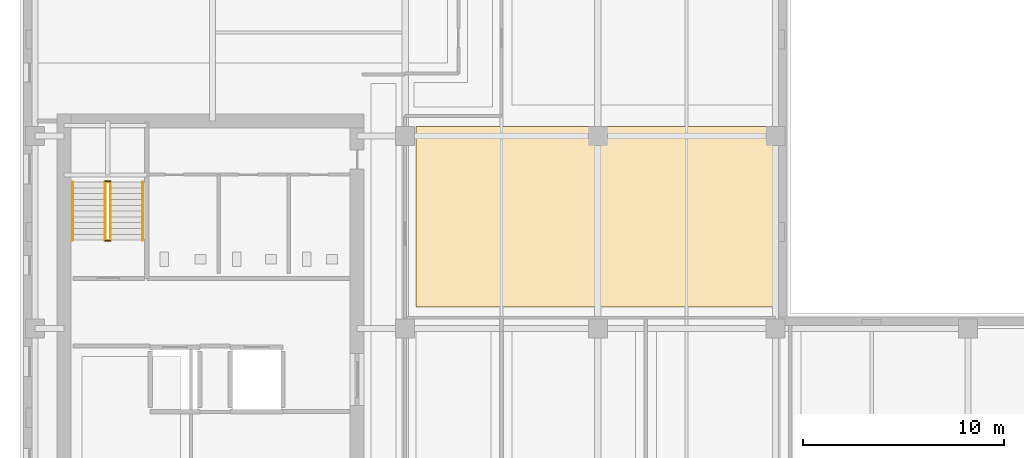
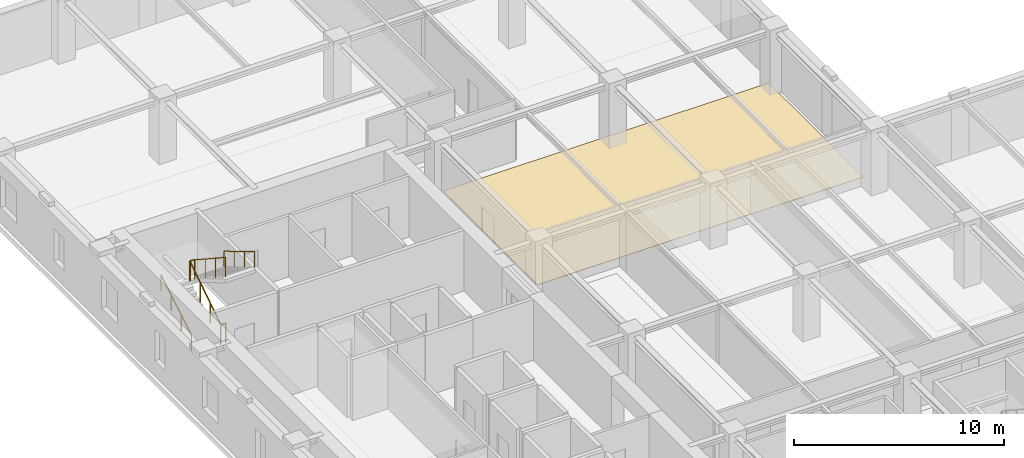
# One storey, part 11 of 13: 6 railings, 1 covering.
"""IFC4 building model written with IfcOpenShell, lengths in metres."""

from ifc_helpers import new_model, si_unit, direction, frame, origin, origin_2d, place, context, subcontext, project, spatial, polyline, circle, outline, extrude, material, layer, layer_set, type_object, element, save


model = new_model("IFC4")

# Units and contexts
model_context = context("Model", 3, precision=1e-05, world=origin(), true_north=direction((0.0, 1.0)))
body_context = subcontext(model_context, "Body", "Model", "MODEL_VIEW")
ifc_project = project(units=[si_unit("LENGTHUNIT", "METRE"), si_unit("AREAUNIT", "SQUARE_METRE"), si_unit("VOLUMEUNIT", "CUBIC_METRE"), si_unit("PLANEANGLEUNIT", "RADIAN"), si_unit("MASSUNIT", "GRAM", prefix="KILO")], contexts=[model_context])

# Site, building, storey
site_placement = place(None, origin())
site = spatial("IfcSite", under=ifc_project, at=site_placement, CompositionType="ELEMENT")
building_placement = place(site_placement, origin())
building = spatial("IfcBuilding", under=site, at=building_placement, Name="Norrvale University Quadrangle", CompositionType="ELEMENT")
storey_placement = place(building_placement, frame((0.0, 0.0, 175.0)))
storey = spatial("IfcBuildingStorey", under=building, at=storey_placement, Name="L44", CompositionType="ELEMENT", Elevation=175.0)

# Covering
ifc_material_1 = material(Name="Polished Terrazzo Flooring")
ifc_layer = layer(ifc_material_1, 0.02490234375, Name="Polished Terrazzo Flooring")
ifc_layer_set = layer_set([ifc_layer], Name="Polished Terrazzo Flooring")
covering_type = type_object("IfcCoveringType", Name="Covering Terrazzo Floor 30", PredefinedType="FLOORING", material=ifc_layer_set)
covering_placement = place(storey_placement, origin())
element("IfcCovering", 1, at=covering_placement, inside=storey, type_object=covering_type, Name="Terrazzo Flooring RM-L44-MNE01", PredefinedType="FLOORING", context=body_context, shape_type="SweptSolid", body=[
    extrude(outline(polyline([(19.72998046875, 47.719970703125), (37.64990234375, 47.719970703125), (37.64990234375, 38.7099609375), (19.72998046875, 38.7099609375), (19.72998046875, 47.719970703125)])), origin(), (0.0, 0.0, 1.0), 0.02490234375),
])

# Railings
ifc_material_2 = material(Name="Steel 350W Painted Balustrade", Category="steel")
railing_type_1 = type_object("IfcRailingType", Name="Railing Stair Guard 1100", PredefinedType="GUARDRAIL", material=ifc_material_2)
for number, where, name in (
    (2, (4.239990234375, 42.02001953125, 0.0), "Stair Floor Well Guard ST-02 L44"),
    (3, (4.239990234375, 44.97998046875, 1.89990234375), "Stair Mid-Landing Slot Guard ST-02 L44"),
):
    element("IfcRailing", number, at=place(storey_placement, frame(where)), inside=storey, type_object=railing_type_1, Name=name, PredefinedType="GUARDRAIL", context=body_context, shape_type="SweptSolid", body=[
        extrude(circle(Radius=0.02392578125, at=origin_2d()), frame((0.0, 0.0, 1.1259765625), z_axis=(1.0, 0.0, 0.0), x_axis=(0.0, 1.0, 0.0)), (0.0, 0.0, 1.0), 0.27001953125),
        extrude(circle(Radius=0.02099609375, at=origin_2d()), origin(), (0.0, 0.0, 1.0), 1.101806640625),
        extrude(circle(Radius=0.02099609375, at=origin_2d()), frame((0.27001953125, 0.0, 0.0)), (0.0, 0.0, 1.0), 1.101806640625),
    ])
railing_1_placement = place(storey_placement, frame((4.239990234375, 42.050048828125, 0.0)))
element("IfcRailing", 4, at=railing_1_placement, inside=storey, type_object=railing_type_1, Name="Stair Lower Flight Inner Guard ST-02 L44", PredefinedType="GUARDRAIL", context=body_context, shape_type="SweptSolid", body=[
    extrude(circle(Radius=0.02392578125, at=origin_2d()), frame((0.0, 0.0, 1.1259765625), z_axis=(0.0, 0.836465582154, 0.548019461216), x_axis=(-1.0, 0.0, 0.0)), (0.0, 0.0, 1.0), 3.466796875),
    extrude(circle(Radius=0.02099609375, at=origin_2d()), origin(), (0.0, 0.0, 1.0), 1.101806640625),
    extrude(circle(Radius=0.02099609375, at=origin_2d()), frame((0.0, 0.966552734375, 0.63330078125)), (0.0, 0.0, 1.0), 1.101806640625),
    extrude(circle(Radius=0.02099609375, at=origin_2d()), frame((0.0, 1.933349609375, 1.2666015625)), (0.0, 0.0, 1.0), 1.101806640625),
    extrude(circle(Radius=0.02099609375, at=origin_2d()), frame((0.0, 2.89990234375, 1.89990234375)), (0.0, 0.0, 1.0), 1.101806640625),
])
railing_2_placement = place(storey_placement, frame((4.510009765625, 44.949951171875, 1.89990234375)))
element("IfcRailing", 5, at=railing_2_placement, inside=storey, type_object=railing_type_1, Name="Stair Upper Flight Inner Guard ST-02 L44", PredefinedType="GUARDRAIL", context=body_context, shape_type="SweptSolid", body=[
    extrude(circle(Radius=0.02392578125, at=origin_2d()), frame((0.0, 0.0, 1.1259765625), z_axis=(0.0, -0.836433300813, 0.548068730445), x_axis=(1.0, 0.0, 0.0)), (0.0, 0.0, 1.0), 3.467041015625),
    extrude(circle(Radius=0.02099609375, at=origin_2d()), origin(), (0.0, 0.0, 1.0), 1.101806640625),
    extrude(circle(Radius=0.02099609375, at=origin_2d()), frame((0.0, -0.966552734375, 0.63330078125)), (0.0, 0.0, 1.0), 1.101806640625),
    extrude(circle(Radius=0.02099609375, at=origin_2d()), frame((0.0, -1.933349609375, 1.266845703125)), (0.0, 0.0, 1.0), 1.101806640625),
    extrude(circle(Radius=0.02099609375, at=origin_2d()), frame((0.0, -2.89990234375, 1.900146484375)), (0.0, 0.0, 1.0), 1.101806640625),
])
ifc_material_3 = material(Name="Stainless Steel 316L Handrail", Category="steel")
railing_type_2 = type_object("IfcRailingType", Name="Railing Stair Handrail 920", PredefinedType="HANDRAIL", material=ifc_material_3)
railing_3_placement = place(storey_placement, frame((2.639892578125, 42.050048828125, 0.172607421875)))
element("IfcRailing", 6, at=railing_3_placement, inside=storey, type_object=railing_type_2, Name="Stair Lower Flight Handrail ST-02 L44", PredefinedType="HANDRAIL", context=body_context, shape_type="SweptSolid", body=[
    extrude(circle(Radius=0.02392578125, at=origin_2d()), frame((0.0, 0.0, 0.89599609375), z_axis=(0.0, 0.859141464434, 0.511738159696), x_axis=(-1.0, 0.0, 0.0)), (0.0, 0.0, 1.0), 3.375244140625),
    extrude(circle(Radius=0.02099609375, at=origin_2d()), origin(), (0.0, 0.0, 1.0), 0.871826171875),
    extrude(circle(Radius=0.02099609375, at=origin_2d()), frame((0.0, 0.966552734375, 0.57568359375)), (0.0, 0.0, 1.0), 0.871826171875),
    extrude(circle(Radius=0.02099609375, at=origin_2d()), frame((0.0, 1.933349609375, 1.151611328125)), (0.0, 0.0, 1.0), 0.871826171875),
    extrude(circle(Radius=0.02099609375, at=origin_2d()), frame((0.0, 2.89990234375, 1.727294921875)), (0.0, 0.0, 1.0), 0.871826171875),
])
railing_4_placement = place(storey_placement, frame((6.110107421875, 44.949951171875, 2.07275390625)))
element("IfcRailing", 7, at=railing_4_placement, inside=storey, type_object=railing_type_2, Name="Stair Upper Flight Handrail ST-02 L44", PredefinedType="HANDRAIL", context=body_context, shape_type="SweptSolid", body=[
    extrude(circle(Radius=0.02392578125, at=origin_2d()), frame((0.0, 0.0, 0.89599609375), z_axis=(0.0, -0.859141464434, 0.511738159696), x_axis=(1.0, 0.0, 0.0)), (0.0, 0.0, 1.0), 3.375244140625),
    extrude(circle(Radius=0.02099609375, at=origin_2d()), origin(), (0.0, 0.0, 1.0), 0.871826171875),
    extrude(circle(Radius=0.02099609375, at=origin_2d()), frame((0.0, -0.966552734375, 0.57568359375)), (0.0, 0.0, 1.0), 0.871826171875),
    extrude(circle(Radius=0.02099609375, at=origin_2d()), frame((0.0, -1.933349609375, 1.151611328125)), (0.0, 0.0, 1.0), 0.871826171875),
    extrude(circle(Radius=0.02099609375, at=origin_2d()), frame((0.0, -2.89990234375, 1.727294921875)), (0.0, 0.0, 1.0), 0.871826171875),
])

save(model, "model.ifc")
